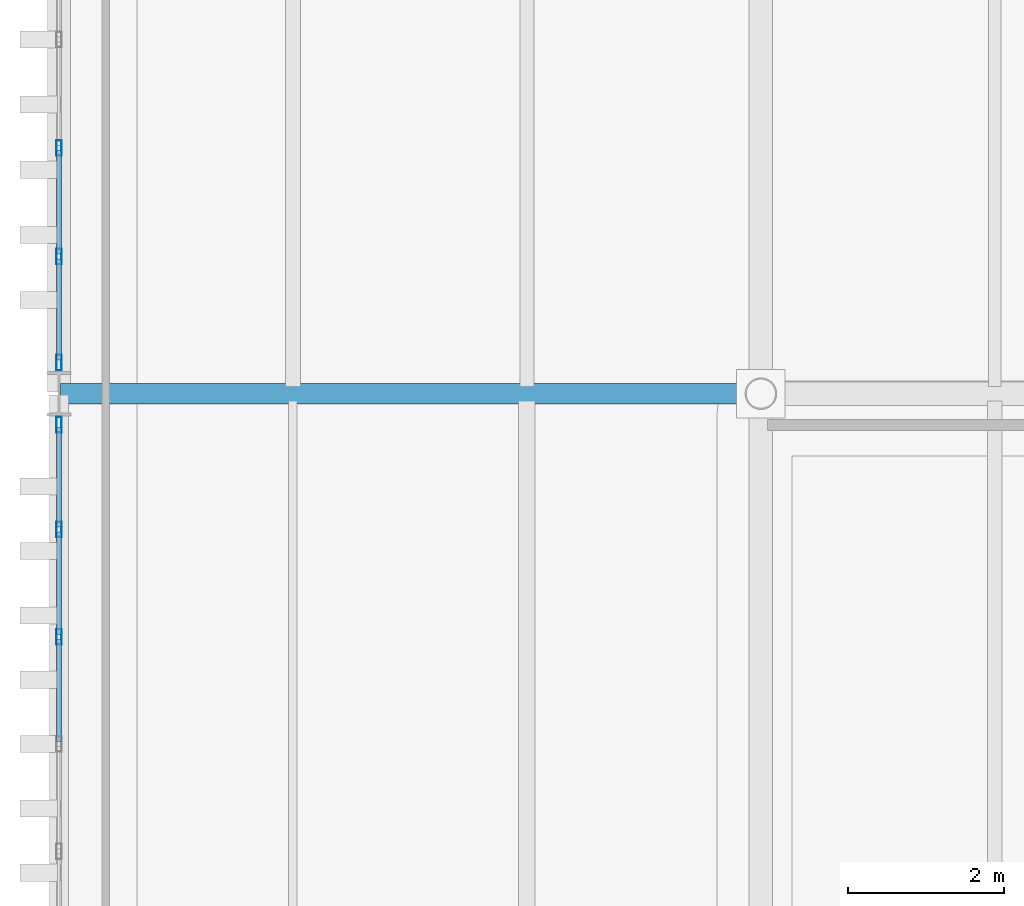
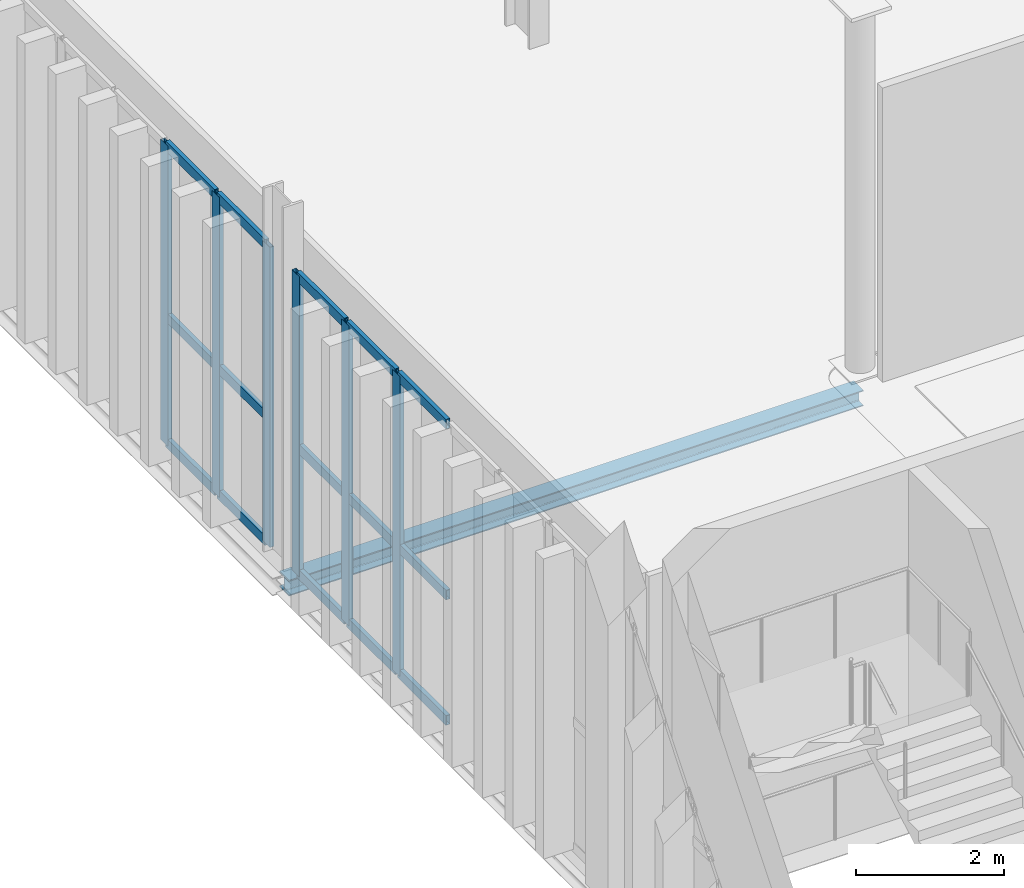
# One storey, part 45 of 211: 21 members, 1 beam, 2 elements without a shape of their own.
"""IFC4 building model written with IfcOpenShell, lengths in metres."""

from ifc_helpers import new_model, si_unit, direction, frame, origin, origin_2d, place, context, subcontext, project, spatial, hollow_rectangle, i_section, extrude, material, layer, layer_set, material_profile, profile_set, type_object, element, aggregate, save


model = new_model("IFC4")

# Units and contexts
model_context = context("Model", 3, precision=1e-05, world=origin(), true_north=direction((0.0, 1.0)))
body_context = subcontext(model_context, "Body", "Model", "MODEL_VIEW")
ifc_project = project(units=[si_unit("LENGTHUNIT", "METRE"), si_unit("AREAUNIT", "SQUARE_METRE"), si_unit("VOLUMEUNIT", "CUBIC_METRE"), si_unit("PLANEANGLEUNIT", "RADIAN"), si_unit("MASSUNIT", "GRAM", prefix="KILO")], contexts=[model_context])

# Site, building, storey
site_placement = place(None, origin())
site = spatial("IfcSite", under=ifc_project, at=site_placement, CompositionType="ELEMENT")
building_placement = place(site_placement, origin())
building = spatial("IfcBuilding", under=site, at=building_placement, Name="Barlavento Convention Centre", CompositionType="ELEMENT")
storey_placement = place(building_placement, frame((0.0, 0.0, 6.0)))
storey = spatial("IfcBuildingStorey", under=building, at=storey_placement, Name="L01", CompositionType="ELEMENT", Elevation=6.0)

# Curtain wall, members
ifc_material_1 = material(Name="Powder-coated aluminium and Low-E glass", Category="aluminium")
ifc_layer = layer(ifc_material_1, 0.18505859375)
ifc_layer_set = layer_set([ifc_layer], Name="ARC-CW-CONG-L01")
curtain_wall_type = type_object("IfcCurtainWallType", Name="ARC-CW-CONG-L01", PredefinedType="NOTDEFINED", material=ifc_layer_set)
curtain_wall_1_placement = place(storey_placement, origin())
curtain_wall_1 = element("IfcCurtainWall", 1, at=curtain_wall_1_placement, inside=storey, type_object=curtain_wall_type, Name="L01 unitised curtain wall CW01", PredefinedType="NOTDEFINED")
ifc_material_2 = material(Name="Powder-coated aluminium", Category="aluminium")
ifc_material_profile_1 = material_profile(ifc_material_2, hollow_rectangle(XDim=0.06494140625, YDim=0.199951171875, WallThickness=0.0048828125, at=origin_2d()), Name="AL-MULL 65x200x5")
ifc_profile_set_1 = profile_set([ifc_material_profile_1], Name="Powder-coated aluminium")
member_type_1 = type_object("IfcMemberType", Name="ARC-CWM-65X200", PredefinedType="MULLION", material=ifc_profile_set_1)
member_1_placement = place(storey_placement, frame((0.0, 32.882568359375, 0.0), z_axis=(0.0, 0.0, 1.0), x_axis=(-1.0, 0.0, 0.0)))
member_1 = element("IfcMember", 2, at=member_1_placement, type_object=member_type_1, Name="CW01 mullion 5", PredefinedType="MULLION", context=body_context, shape_type="SweptSolid", body=[
    extrude(hollow_rectangle(XDim=0.06494140625, YDim=0.199951171875, WallThickness=0.0048828125, at=origin_2d()), origin(), (0.0, 0.0, 1.0), 4.949951171875),
])
member_2_placement = place(storey_placement, frame((0.0, 34.25830078125, 0.0), z_axis=(0.0, 0.0, 1.0), x_axis=(-1.0, 0.0, 0.0)))
member_2 = element("IfcMember", 3, at=member_2_placement, type_object=member_type_1, Name="CW01 mullion 6", PredefinedType="MULLION", context=body_context, shape_type="SweptSolid", body=[
    extrude(hollow_rectangle(XDim=0.06494140625, YDim=0.199951171875, WallThickness=0.0048828125, at=origin_2d()), origin(), (0.0, 0.0, 1.0), 4.949951171875),
])
member_3_placement = place(storey_placement, frame((0.0, 35.6015625, 0.0), z_axis=(0.0, 0.0, 1.0), x_axis=(-1.0, 0.0, 0.0)))
member_3 = element("IfcMember", 4, at=member_3_placement, type_object=member_type_1, Name="CW01 mullion 7", PredefinedType="MULLION", context=body_context, shape_type="SweptSolid", body=[
    extrude(hollow_rectangle(XDim=0.06494140625, YDim=0.199951171875, WallThickness=0.0048828125, at=origin_2d()), origin(), (0.0, 0.0, 1.0), 4.949951171875),
])

curtain_wall_2_placement = place(storey_placement, origin())
curtain_wall_2 = element("IfcCurtainWall", 5, at=curtain_wall_2_placement, inside=storey, type_object=curtain_wall_type, Name="L01 unitised curtain wall CW01", PredefinedType="NOTDEFINED")
member_4_placement = place(storey_placement, frame((0.0, 36.3984375, 0.0), z_axis=(0.0, 0.0, 1.0), x_axis=(-1.0, 0.0, 0.0)))
member_4 = element("IfcMember", 6, at=member_4_placement, type_object=member_type_1, Name="CW01 mullion 1", PredefinedType="MULLION", context=body_context, shape_type="SweptSolid", body=[
    extrude(hollow_rectangle(XDim=0.06494140625, YDim=0.199951171875, WallThickness=0.0048828125, at=origin_2d()), origin(), (0.0, 0.0, 1.0), 4.949951171875),
])
member_5_placement = place(storey_placement, frame((0.0, 37.7578125, 0.0), z_axis=(0.0, 0.0, 1.0), x_axis=(-1.0, 0.0, 0.0)))
member_5 = element("IfcMember", 7, at=member_5_placement, type_object=member_type_1, Name="CW01 mullion 2", PredefinedType="MULLION", context=body_context, shape_type="SweptSolid", body=[
    extrude(hollow_rectangle(XDim=0.06494140625, YDim=0.199951171875, WallThickness=0.0048828125, at=origin_2d()), origin(), (0.0, 0.0, 1.0), 4.949951171875),
])
member_6_placement = place(storey_placement, frame((0.0, 39.149658203125, 0.0), z_axis=(0.0, 0.0, 1.0), x_axis=(-1.0, 0.0, 0.0)))
member_6 = element("IfcMember", 8, at=member_6_placement, type_object=member_type_1, Name="CW01 mullion 3", PredefinedType="MULLION", context=body_context, shape_type="SweptSolid", body=[
    extrude(hollow_rectangle(XDim=0.06494140625, YDim=0.199951171875, WallThickness=0.0048828125, at=origin_2d()), origin(), (0.0, 0.0, 1.0), 4.949951171875),
])

# Member
ifc_material_profile_2 = material_profile(ifc_material_2, hollow_rectangle(XDim=0.06494140625, YDim=0.159912109375, WallThickness=0.0048828125, at=origin_2d()), Name="AL-TRAN 65x160x5")
ifc_profile_set_2 = profile_set([ifc_material_profile_2], Name="Powder-coated aluminium")
member_type_2 = type_object("IfcMemberType", Name="ARC-CWT-65X160", PredefinedType="USERDEFINED", material=ifc_profile_set_2)
member_7_placement = place(storey_placement, frame((0.0, 31.53955078125, 0.032470703125), z_axis=(0.0, 1.0, 0.0), x_axis=(-1.0, 0.0, 0.0)))
member_7 = element("IfcMember", 9, at=member_7_placement, type_object=member_type_2, Name="CW01 transom 4.1", ObjectType="TRANSOM", PredefinedType="USERDEFINED", context=body_context, shape_type="SweptSolid", body=[
    extrude(hollow_rectangle(XDim=0.06494140625, YDim=0.159912109375, WallThickness=0.0048828125, at=origin_2d()), origin(), (0.0, 0.0, 1.0), 1.310546875),
])

member_8_placement = place(storey_placement, frame((0.0, 31.53955078125, 2.10009765625), z_axis=(0.0, 1.0, 0.0), x_axis=(-1.0, 0.0, 0.0)))
member_8 = element("IfcMember", 10, at=member_8_placement, type_object=member_type_2, Name="CW01 transom 4.2", ObjectType="TRANSOM", PredefinedType="USERDEFINED", context=body_context, shape_type="SweptSolid", body=[
    extrude(hollow_rectangle(XDim=0.06494140625, YDim=0.159912109375, WallThickness=0.0048828125, at=origin_2d()), origin(), (0.0, 0.0, 1.0), 1.310546875),
])

member_9_placement = place(storey_placement, frame((0.0, 31.53955078125, 4.91748046875), z_axis=(0.0, 1.0, 0.0), x_axis=(-1.0, 0.0, 0.0)))
member_9 = element("IfcMember", 11, at=member_9_placement, type_object=member_type_2, Name="CW01 transom 4.3", ObjectType="TRANSOM", PredefinedType="USERDEFINED", context=body_context, shape_type="SweptSolid", body=[
    extrude(hollow_rectangle(XDim=0.06494140625, YDim=0.159912109375, WallThickness=0.0048828125, at=origin_2d()), origin(), (0.0, 0.0, 1.0), 1.310546875),
])

member_10_placement = place(storey_placement, frame((0.0, 32.915283203125, 0.032470703125), z_axis=(0.0, 1.0, 0.0), x_axis=(-1.0, 0.0, 0.0)))
member_10 = element("IfcMember", 12, at=member_10_placement, type_object=member_type_2, Name="CW01 transom 5.1", ObjectType="TRANSOM", PredefinedType="USERDEFINED", context=body_context, shape_type="SweptSolid", body=[
    extrude(hollow_rectangle(XDim=0.06494140625, YDim=0.159912109375, WallThickness=0.0048828125, at=origin_2d()), origin(), (0.0, 0.0, 1.0), 1.310546875),
])

member_11_placement = place(storey_placement, frame((0.0, 32.915283203125, 2.10009765625), z_axis=(0.0, 1.0, 0.0), x_axis=(-1.0, 0.0, 0.0)))
member_11 = element("IfcMember", 13, at=member_11_placement, type_object=member_type_2, Name="CW01 transom 5.2", ObjectType="TRANSOM", PredefinedType="USERDEFINED", context=body_context, shape_type="SweptSolid", body=[
    extrude(hollow_rectangle(XDim=0.06494140625, YDim=0.159912109375, WallThickness=0.0048828125, at=origin_2d()), origin(), (0.0, 0.0, 1.0), 1.310546875),
])

member_12_placement = place(storey_placement, frame((0.0, 32.915283203125, 4.91748046875), z_axis=(0.0, 1.0, 0.0), x_axis=(-1.0, 0.0, 0.0)))
member_12 = element("IfcMember", 14, at=member_12_placement, type_object=member_type_2, Name="CW01 transom 5.3", ObjectType="TRANSOM", PredefinedType="USERDEFINED", context=body_context, shape_type="SweptSolid", body=[
    extrude(hollow_rectangle(XDim=0.06494140625, YDim=0.159912109375, WallThickness=0.0048828125, at=origin_2d()), origin(), (0.0, 0.0, 1.0), 1.310546875),
])

member_13_placement = place(storey_placement, frame((0.0, 34.290771484375, 0.032470703125), z_axis=(0.0, 1.0, 0.0), x_axis=(-1.0, 0.0, 0.0)))
member_13 = element("IfcMember", 15, at=member_13_placement, type_object=member_type_2, Name="CW01 transom 6.1", ObjectType="TRANSOM", PredefinedType="USERDEFINED", context=body_context, shape_type="SweptSolid", body=[
    extrude(hollow_rectangle(XDim=0.06494140625, YDim=0.159912109375, WallThickness=0.0048828125, at=origin_2d()), origin(), (0.0, 0.0, 1.0), 1.2783203125),
])

member_14_placement = place(storey_placement, frame((0.0, 34.290771484375, 2.10009765625), z_axis=(0.0, 1.0, 0.0), x_axis=(-1.0, 0.0, 0.0)))
member_14 = element("IfcMember", 16, at=member_14_placement, type_object=member_type_2, Name="CW01 transom 6.2", ObjectType="TRANSOM", PredefinedType="USERDEFINED", context=body_context, shape_type="SweptSolid", body=[
    extrude(hollow_rectangle(XDim=0.06494140625, YDim=0.159912109375, WallThickness=0.0048828125, at=origin_2d()), origin(), (0.0, 0.0, 1.0), 1.2783203125),
])

member_15_placement = place(storey_placement, frame((0.0, 34.290771484375, 4.91748046875), z_axis=(0.0, 1.0, 0.0), x_axis=(-1.0, 0.0, 0.0)))
member_15 = element("IfcMember", 17, at=member_15_placement, type_object=member_type_2, Name="CW01 transom 6.3", ObjectType="TRANSOM", PredefinedType="USERDEFINED", context=body_context, shape_type="SweptSolid", body=[
    extrude(hollow_rectangle(XDim=0.06494140625, YDim=0.159912109375, WallThickness=0.0048828125, at=origin_2d()), origin(), (0.0, 0.0, 1.0), 1.2783203125),
])

aggregate(curtain_wall_1, [member_1, member_2, member_3, member_7, member_8, member_9, member_10, member_11, member_12, member_13, member_14, member_15])

member_16_placement = place(storey_placement, frame((0.0, 36.430908203125, 0.032470703125), z_axis=(0.0, 1.0, 0.0), x_axis=(-1.0, 0.0, 0.0)))
member_16 = element("IfcMember", 18, at=member_16_placement, type_object=member_type_2, Name="CW01 transom 1.1", ObjectType="TRANSOM", PredefinedType="USERDEFINED", context=body_context, shape_type="SweptSolid", body=[
    extrude(hollow_rectangle(XDim=0.06494140625, YDim=0.159912109375, WallThickness=0.0048828125, at=origin_2d()), origin(), (0.0, 0.0, 1.0), 1.29443359375),
])

member_17_placement = place(storey_placement, frame((0.0, 36.430908203125, 2.10009765625), z_axis=(0.0, 1.0, 0.0), x_axis=(-1.0, 0.0, 0.0)))
member_17 = element("IfcMember", 19, at=member_17_placement, type_object=member_type_2, Name="CW01 transom 1.2", ObjectType="TRANSOM", PredefinedType="USERDEFINED", context=body_context, shape_type="SweptSolid", body=[
    extrude(hollow_rectangle(XDim=0.06494140625, YDim=0.159912109375, WallThickness=0.0048828125, at=origin_2d()), origin(), (0.0, 0.0, 1.0), 1.29443359375),
])

member_18_placement = place(storey_placement, frame((0.0, 36.430908203125, 4.91748046875), z_axis=(0.0, 1.0, 0.0), x_axis=(-1.0, 0.0, 0.0)))
member_18 = element("IfcMember", 20, at=member_18_placement, type_object=member_type_2, Name="CW01 transom 1.3", ObjectType="TRANSOM", PredefinedType="USERDEFINED", context=body_context, shape_type="SweptSolid", body=[
    extrude(hollow_rectangle(XDim=0.06494140625, YDim=0.159912109375, WallThickness=0.0048828125, at=origin_2d()), origin(), (0.0, 0.0, 1.0), 1.29443359375),
])

member_19_placement = place(storey_placement, frame((0.0, 37.790283203125, 0.032470703125), z_axis=(0.0, 1.0, 0.0), x_axis=(-1.0, 0.0, 0.0)))
member_19 = element("IfcMember", 21, at=member_19_placement, type_object=member_type_2, Name="CW01 transom 2.1", ObjectType="TRANSOM", PredefinedType="USERDEFINED", context=body_context, shape_type="SweptSolid", body=[
    extrude(hollow_rectangle(XDim=0.06494140625, YDim=0.159912109375, WallThickness=0.0048828125, at=origin_2d()), origin(), (0.0, 0.0, 1.0), 1.326904296875),
])

member_20_placement = place(storey_placement, frame((0.0, 37.790283203125, 2.10009765625), z_axis=(0.0, 1.0, 0.0), x_axis=(-1.0, 0.0, 0.0)))
member_20 = element("IfcMember", 22, at=member_20_placement, type_object=member_type_2, Name="CW01 transom 2.2", ObjectType="TRANSOM", PredefinedType="USERDEFINED", context=body_context, shape_type="SweptSolid", body=[
    extrude(hollow_rectangle(XDim=0.06494140625, YDim=0.159912109375, WallThickness=0.0048828125, at=origin_2d()), origin(), (0.0, 0.0, 1.0), 1.326904296875),
])

member_21_placement = place(storey_placement, frame((0.0, 37.790283203125, 4.91748046875), z_axis=(0.0, 1.0, 0.0), x_axis=(-1.0, 0.0, 0.0)))
member_21 = element("IfcMember", 23, at=member_21_placement, type_object=member_type_2, Name="CW01 transom 2.3", ObjectType="TRANSOM", PredefinedType="USERDEFINED", context=body_context, shape_type="SweptSolid", body=[
    extrude(hollow_rectangle(XDim=0.06494140625, YDim=0.159912109375, WallThickness=0.0048828125, at=origin_2d()), origin(), (0.0, 0.0, 1.0), 1.326904296875),
])

aggregate(curtain_wall_2, [member_4, member_5, member_6, member_16, member_17, member_18, member_19, member_20, member_21])

# Beam
ifc_material_3 = material(Name="Steel S355", Category="steel")
ifc_material_profile_3 = material_profile(ifc_material_3, i_section(OverallWidth=0.260009765625, OverallDepth=0.260009765625, WebThickness=0.010009765625, FlangeThickness=0.017578125, FilletRadius=0.02392578125, at=origin_2d()), Name="HEB 260")
ifc_profile_set_3 = profile_set([ifc_material_profile_3], Name="Steel S355")
beam_type = type_object("IfcBeamType", Name="STR-BM-PRI-HEB260", PredefinedType="BEAM", material=ifc_profile_set_3)
beam_placement = place(storey_placement, frame((0.02001953125, 36.0, -0.429931640625), z_axis=(1.0, 0.0, 0.0), x_axis=(0.0, 1.0, 0.0)))
element("IfcBeam", 24, at=beam_placement, inside=storey, type_object=beam_type, Name="L01 primary girder BG16", PredefinedType="BEAM", context=body_context, shape_type="SweptSolid", body=[
    extrude(i_section(OverallWidth=0.260009765625, OverallDepth=0.260009765625, WebThickness=0.010009765625, FlangeThickness=0.017578125, FilletRadius=0.02392578125, at=origin_2d()), origin(), (0.0, 0.0, 1.0), 8.9599609375),
])

save(model, "model.ifc")
